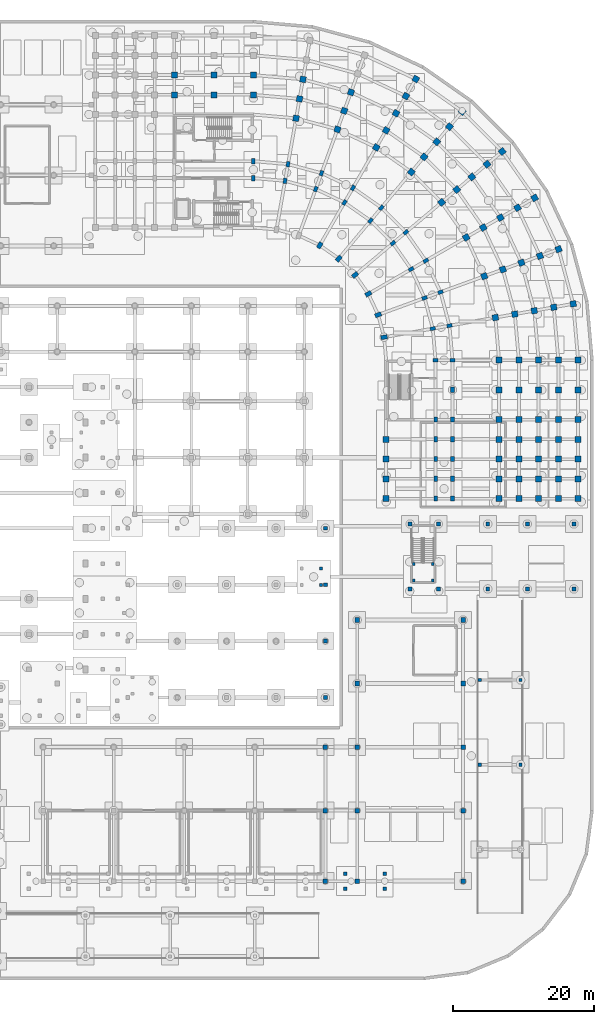
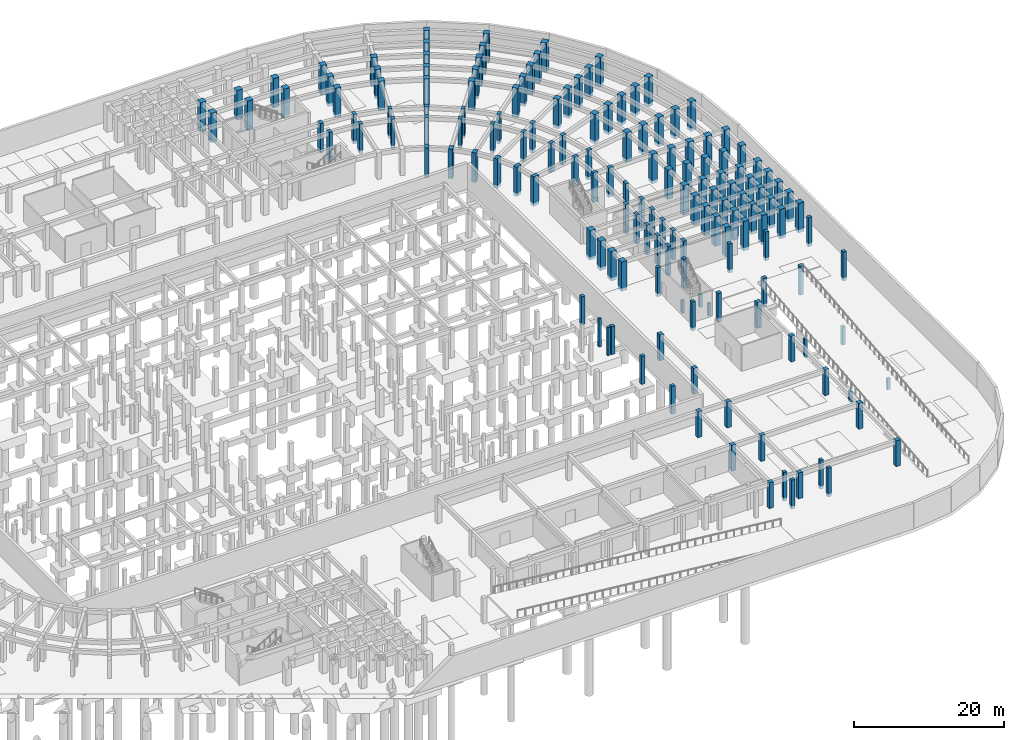
# One storey, part 16 of 53: 159 columns.
"""IFC4 building model written with IfcOpenShell, lengths in metres."""

from ifc_helpers import new_model, si_unit, direction, frame, origin, origin_2d, place, context, subcontext, project, spatial, rectangle, extrude, material, material_profile, profile_set, type_object, element, save


model = new_model("IFC4")

# Units and contexts
model_context = context("Model", 3, precision=1e-05, world=origin(), true_north=direction((0.0, 1.0)))
body_context = subcontext(model_context, "Body", "Model", "MODEL_VIEW")
ifc_project = project(units=[si_unit("LENGTHUNIT", "METRE"), si_unit("AREAUNIT", "SQUARE_METRE"), si_unit("VOLUMEUNIT", "CUBIC_METRE"), si_unit("PLANEANGLEUNIT", "RADIAN"), si_unit("MASSUNIT", "GRAM", prefix="KILO")], contexts=[model_context])

# Site, building, storey
site_placement = place(None, origin())
site = spatial("IfcSite", under=ifc_project, at=site_placement, CompositionType="ELEMENT")
building_placement = place(site_placement, origin())
building = spatial("IfcBuilding", under=site, at=building_placement, Name="Kiranvali Square Residences", CompositionType="ELEMENT")
storey_placement = place(building_placement, frame((0.0, 0.0, -4.5)))
storey = spatial("IfcBuildingStorey", under=building, at=storey_placement, Name="B1", CompositionType="ELEMENT", Elevation=-4.5)

# Columns
ifc_material_1 = material(Name="Concrete M40 (40 MPa)", Category="concrete")
ifc_material_profile_1 = material_profile(ifc_material_1, rectangle(XDim=0.39990234375, YDim=0.39990234375, at=origin_2d()), Name="RC 400x400")
ifc_profile_set_1 = profile_set([ifc_material_profile_1], Name="Concrete M40 (40 MPa)")
column_type_1 = type_object("IfcColumnType", Name="COL-M40-400", PredefinedType="COLUMN", material=ifc_profile_set_1)
for number, where, z_axis, x_axis, name in (
    (1, (129.35009765625, 55.949951171875, -0.5), (0.0, 0.0, 1.0), (1.0, 0.0, 0.0), "ST-RT2 B1 substructure support column 2"),
    (2, (129.35009765625, 58.280029296875, -0.5), (0.0, 0.0, 1.0), (1.0, 0.0, 0.0), "ST-RT2 B1 substructure support column 4"),
):
    element("IfcColumn", number, at=place(storey_placement, frame(where, z_axis=z_axis, x_axis=x_axis)), inside=storey, type_object=column_type_1, Name=name, PredefinedType="COLUMN", context=body_context, shape_type="SweptSolid", body=[
        extrude(rectangle(XDim=0.39990234375, YDim=0.39990234375, at=origin_2d()), origin(), (0.0, 0.0, 1.0), 4.550048828125),
    ])
for number, where, z_axis, x_axis, name in (
    (3, (142.5, 56.60009765625, 0.0), (0.0, 0.0, 1.0), (1.0, 0.0, 0.0), "ST-P2 mid-landing support column 1"),
    (4, (145.199951171875, 56.60009765625, 0.0), (0.0, 0.0, 1.0), (1.0, 0.0, 0.0), "ST-P2 mid-landing support column 2"),
    (5, (142.5, 58.929931640625, 0.0), (0.0, 0.0, 1.0), (1.0, 0.0, 0.0), "ST-P2 mid-landing support column 3"),
    (6, (145.199951171875, 58.929931640625, 0.0), (0.0, 0.0, 1.0), (1.0, 0.0, 0.0), "ST-P2 mid-landing support column 4"),
):
    element("IfcColumn", number, at=place(storey_placement, frame(where, z_axis=z_axis, x_axis=x_axis)), inside=storey, type_object=column_type_1, Name=name, PredefinedType="COLUMN", context=body_context, shape_type="SweptSolid", body=[
        extrude(rectangle(XDim=0.39990234375, YDim=0.39990234375, at=origin_2d()), origin(), (0.0, 0.0, 1.0), 2.050048828125),
    ])
ifc_material_profile_2 = material_profile(ifc_material_1, rectangle(XDim=0.449951171875, YDim=0.449951171875, at=origin_2d()), Name="RC 450x450")
ifc_profile_set_2 = profile_set([ifc_material_profile_2], Name="Concrete M40 (40 MPa)")
column_type_2 = type_object("IfcColumnType", Name="COL-M40-450", PredefinedType="COLUMN", material=ifc_profile_set_2)
for number, where, z_axis, x_axis, name in (
    (7, (151.85009765625, 42.5, -0.5), (0.0, 0.0, 1.0), (1.0, 0.0, 0.0), "Vehicular ramp VR-2 support column 1W"),
    (8, (157.64990234375, 42.5, -0.5), (0.0, 0.0, 1.0), (1.0, 0.0, 0.0), "Vehicular ramp VR-2 support column 1E"),
):
    element("IfcColumn", number, at=place(storey_placement, frame(where, z_axis=z_axis, x_axis=x_axis)), inside=storey, type_object=column_type_2, Name=name, PredefinedType="COLUMN", context=body_context, shape_type="SweptSolid", body=[
        extrude(rectangle(XDim=0.449951171875, YDim=0.449951171875, at=origin_2d()), origin(), (0.0, 0.0, 1.0), 2.969970703125),
    ])
for number, where, z_axis, x_axis, name in (
    (9, (151.85009765625, 30.5, -0.5), (0.0, 0.0, 1.0), (1.0, 0.0, 0.0), "Vehicular ramp VR-2 support column 2W"),
    (10, (157.64990234375, 30.5, -0.5), (0.0, 0.0, 1.0), (1.0, 0.0, 0.0), "Vehicular ramp VR-2 support column 2E"),
):
    element("IfcColumn", number, at=place(storey_placement, frame(where, z_axis=z_axis, x_axis=x_axis)), inside=storey, type_object=column_type_2, Name=name, PredefinedType="COLUMN", context=body_context, shape_type="SweptSolid", body=[
        extrude(rectangle(XDim=0.449951171875, YDim=0.449951171875, at=origin_2d()), origin(), (0.0, 0.0, 1.0), 1.77001953125),
    ])
ifc_material_profile_3 = material_profile(ifc_material_1, rectangle(XDim=0.5, YDim=0.5, at=origin_2d()), Name="RC 500x500")
ifc_profile_set_3 = profile_set([ifc_material_profile_3], Name="Concrete M40 (40 MPa)")
column_type_3 = type_object("IfcColumnType", Name="COL-M40-500", PredefinedType="COLUMN", material=ifc_profile_set_3)
for number, where, z_axis, x_axis, name in (
    (11, (132.800048828125, 12.949951171875, -0.5), (0.0, 0.0, 1.0), (1.0, 0.0, 0.0), "Square colonnade B1 outer support column 9A"),
    (12, (132.800048828125, 15.050048828125, -0.5), (0.0, 0.0, 1.0), (1.0, 0.0, 0.0), "Square colonnade B1 inner support column 9B"),
    (13, (138.39990234375, 12.949951171875, -0.5), (0.0, 0.0, 1.0), (1.0, 0.0, 0.0), "Square colonnade B1 outer support column 10A"),
    (14, (138.39990234375, 15.050048828125, -0.5), (0.0, 0.0, 1.0), (1.0, 0.0, 0.0), "Square colonnade B1 inner support column 10B"),
):
    element("IfcColumn", number, at=place(storey_placement, frame(where, z_axis=z_axis, x_axis=x_axis)), inside=storey, type_object=column_type_3, Name=name, PredefinedType="COLUMN", context=body_context, shape_type="SweptSolid", body=[
        extrude(rectangle(XDim=0.5, YDim=0.5, at=origin_2d()), origin(), (0.0, 0.0, 1.0), 4.699951171875),
    ])
ifc_material_profile_4 = material_profile(ifc_material_1, rectangle(XDim=0.550048828125, YDim=0.550048828125, at=origin_2d()), Name="RC 550x550")
ifc_profile_set_4 = profile_set([ifc_material_profile_4], Name="Concrete M40 (40 MPa)")
column_type_4 = type_object("IfcColumnType", Name="COL-M40-550", PredefinedType="COLUMN", material=ifc_profile_set_4)
for number, where, z_axis, x_axis, name in (
    (15, (130.0, 40.0, -0.5), (0.0, 0.0, 1.0), (1.0, 0.0, 0.0), "Southeast Square Retail Pavilion B1 substructure column 4-0"),
    (16, (130.0, 48.0, -0.5), (0.0, 0.0, 1.0), (1.0, 0.0, 0.0), "Southeast Square Retail Pavilion B1 substructure column 4-1"),
    (17, (130.0, 56.0, -0.5), (0.0, 0.0, 1.0), (1.0, 0.0, 0.0), "Southeast Square Retail Pavilion B1 substructure column 4-2"),
    (18, (130.0, 64.0, -0.5), (0.0, 0.0, 1.0), (1.0, 0.0, 0.0), "Southeast Square Retail Pavilion B1 substructure column 4-3"),
):
    element("IfcColumn", number, at=place(storey_placement, frame(where, z_axis=z_axis, x_axis=x_axis)), inside=storey, type_object=column_type_4, Name=name, PredefinedType="COLUMN", context=body_context, shape_type="SweptSolid", body=[
        extrude(rectangle(XDim=0.550048828125, YDim=0.550048828125, at=origin_2d()), origin(), (0.0, 0.0, 1.0), 4.550048828125),
    ])
for number, where, z_axis, x_axis, name in (
    (19, (142.0, 55.39990234375, -0.5), (0.0, 0.0, 1.0), (1.0, 0.0, 0.0), "East Street Ramp and Arcade Portal substructure column 1.1"),
    (20, (142.0, 64.60009765625, -0.5), (0.0, 0.0, 1.0), (1.0, 0.0, 0.0), "East Street Ramp and Arcade Portal substructure column 1.2"),
    (21, (146.0, 55.39990234375, -0.5), (0.0, 0.0, 1.0), (1.0, 0.0, 0.0), "East Street Ramp and Arcade Portal substructure column 2.1"),
    (22, (146.0, 64.60009765625, -0.5), (0.0, 0.0, 1.0), (1.0, 0.0, 0.0), "East Street Ramp and Arcade Portal substructure column 2.2"),
    (23, (153.0, 55.39990234375, -0.5), (0.0, 0.0, 1.0), (1.0, 0.0, 0.0), "East Street Ramp and Arcade Portal substructure column 3.1"),
    (24, (153.0, 64.60009765625, -0.5), (0.0, 0.0, 1.0), (1.0, 0.0, 0.0), "East Street Ramp and Arcade Portal substructure column 3.2"),
    (25, (158.60009765625, 55.39990234375, -0.5), (0.0, 0.0, 1.0), (1.0, 0.0, 0.0), "East Street Ramp and Arcade Portal substructure column 4.1"),
    (26, (158.60009765625, 64.60009765625, -0.5), (0.0, 0.0, 1.0), (1.0, 0.0, 0.0), "East Street Ramp and Arcade Portal substructure column 4.2"),
    (27, (165.199951171875, 55.39990234375, -0.5), (0.0, 0.0, 1.0), (1.0, 0.0, 0.0), "East Street Ramp and Arcade Portal substructure column 5.1"),
    (28, (165.199951171875, 64.60009765625, -0.5), (0.0, 0.0, 1.0), (1.0, 0.0, 0.0), "East Street Ramp and Arcade Portal substructure column 5.2"),
):
    element("IfcColumn", number, at=place(storey_placement, frame(where, z_axis=z_axis, x_axis=x_axis)), inside=storey, type_object=column_type_4, Name=name, PredefinedType="COLUMN", context=body_context, shape_type="SweptSolid", body=[
        extrude(rectangle(XDim=0.550048828125, YDim=0.550048828125, at=origin_2d()), origin(), (0.0, 0.0, 1.0), 4.699951171875),
    ])
ifc_material_2 = material(Name="Concrete M45 (45 MPa)", Category="concrete")
ifc_material_profile_5 = material_profile(ifc_material_2, rectangle(XDim=0.64990234375, YDim=0.64990234375, at=origin_2d()), Name="RC 650x650")
ifc_profile_set_5 = profile_set([ifc_material_profile_5], Name="Concrete M45 (45 MPa)")
column_type_5 = type_object("IfcColumnType", Name="COL-M45-650", PredefinedType="COLUMN", material=ifc_profile_set_5)
for number, where, z_axis, x_axis, name in (
    (29, (130.0, 14.0, 0.0), (0.0, 0.0, 1.0), (1.0, 0.0, 0.0), "Basement square substructure column APR-23"),
    (30, (134.5, 14.0, 0.0), (0.0, 0.0, 1.0), (1.0, 0.0, 0.0), "Basement square substructure column APR-24"),
    (31, (149.5, 14.0, 0.0), (0.0, 0.0, 1.0), (1.0, 0.0, 0.0), "Basement square substructure column APR-25"),
    (32, (130.0, 24.0, 0.0), (0.0, 0.0, 1.0), (1.0, 0.0, 0.0), "Basement square substructure column APR-30"),
    (33, (134.5, 24.0, 0.0), (0.0, 0.0, 1.0), (1.0, 0.0, 0.0), "Basement square substructure column APR-31"),
    (34, (149.5, 24.0, 0.0), (0.0, 0.0, 1.0), (1.0, 0.0, 0.0), "Basement square substructure column APR-32"),
    (35, (130.0, 33.0, 0.0), (0.0, 0.0, 1.0), (1.0, 0.0, 0.0), "Basement square substructure column APR-37"),
    (36, (134.5, 33.0, 0.0), (0.0, 0.0, 1.0), (1.0, 0.0, 0.0), "Basement square substructure column APR-38"),
    (37, (149.5, 33.0, 0.0), (0.0, 0.0, 1.0), (1.0, 0.0, 0.0), "Basement square substructure column APR-39"),
    (38, (134.5, 42.0, 0.0), (0.0, 0.0, 1.0), (1.0, 0.0, 0.0), "Basement square substructure column APR-40"),
    (39, (149.5, 42.0, 0.0), (0.0, 0.0, 1.0), (1.0, 0.0, 0.0), "Basement square substructure column APR-41"),
    (40, (134.5, 51.0, 0.0), (0.0, 0.0, 1.0), (1.0, 0.0, 0.0), "Basement square substructure column APR-42"),
    (41, (149.5, 51.0, 0.0), (0.0, 0.0, 1.0), (1.0, 0.0, 0.0), "Basement square substructure column APR-43"),
):
    element("IfcColumn", number, at=place(storey_placement, frame(where, z_axis=z_axis, x_axis=x_axis)), inside=storey, type_object=column_type_5, Name=name, PredefinedType="COLUMN", context=body_context, shape_type="SweptSolid", body=[
        extrude(rectangle(XDim=0.64990234375, YDim=0.64990234375, at=origin_2d()), origin(), (0.0, 0.0, 1.0), 4.199951171875),
    ])
ifc_material_profile_6 = material_profile(ifc_material_2, rectangle(XDim=0.5, YDim=0.75, at=origin_2d()), Name="RC 750x500")
ifc_profile_set_6 = profile_set([ifc_material_profile_6], Name="Concrete M45 (45 MPa)")
column_type_6 = type_object("IfcColumnType", Name="COL-M45-750x500", PredefinedType="COLUMN", material=ifc_profile_set_6)
for number, where, z_axis, x_axis, name in (
    (42, (119.800048828125, 113.60009765625, -0.5), (0.0, 0.0, 1.0), (1.0, 0.0, 0.0), "Block B B1 radial column A00-R1"),
    (43, (119.800048828125, 116.0, -0.5), (0.0, 0.0, 1.0), (1.0, 0.0, 0.0), "Block B B1 radial column A00-R2"),
    (44, (124.280029296875, 113.2080078125, -0.5), (0.0, 0.0, 1.0), (-0.984807753012, 0.173648177667, 0.0), "Block B B1 radial column A01-R1"),
    (45, (124.69677734375, 115.571533203125, -0.5), (0.0, 0.0, 1.0), (-0.984807753012, 0.173648177667, 0.0), "Block B B1 radial column A01-R2"),
    (46, (128.6240234375, 112.044189453125, -0.5), (0.0, 0.0, 1.0), (-0.939692620786, 0.342020143326, 0.0), "Block B B1 radial column A02-R1"),
    (47, (129.445068359375, 114.29931640625, -0.5), (0.0, 0.0, 1.0), (-0.939692620786, 0.342020143326, 0.0), "Block B B1 radial column A02-R2"),
    (48, (132.699951171875, 110.1435546875, -0.5), (0.0, 0.0, 1.0), (-0.866025403784, 0.5, 0.0), "Block B B1 radial column A03-R1"),
    (49, (133.89990234375, 112.221923828125, -0.5), (0.0, 0.0, 1.0), (-0.866025403784, 0.5, 0.0), "Block B B1 radial column A03-R2"),
    (50, (136.384033203125, 107.56396484375, -0.5), (0.0, 0.0, 1.0), (-0.766044443119, 0.642787609687, 0.0), "Block B B1 radial column A04-R1"),
    (51, (137.926513671875, 109.40234375, -0.5), (0.0, 0.0, 1.0), (-0.766044443119, 0.642787609687, 0.0), "Block B B1 radial column A04-R2"),
    (52, (139.56396484375, 104.384033203125, -0.5), (0.0, 0.0, 1.0), (-0.642787609687, 0.766044443119, 0.0), "Block B B1 radial column A05-R1"),
    (53, (141.40234375, 105.926513671875, -0.5), (0.0, 0.0, 1.0), (-0.642787609687, 0.766044443119, 0.0), "Block B B1 radial column A05-R2"),
    (54, (142.1435546875, 100.699951171875, -0.5), (0.0, 0.0, 1.0), (-0.5, 0.866025403784, 0.0), "Block B B1 radial column A06-R1"),
    (55, (144.221923828125, 101.89990234375, -0.5), (0.0, 0.0, 1.0), (-0.5, 0.866025403784, 0.0), "Block B B1 radial column A06-R2"),
    (56, (144.044189453125, 96.6240234375, -0.5), (0.0, 0.0, 1.0), (-0.342020143326, 0.939692620786, 0.0), "Block B B1 radial column A07-R1"),
    (57, (146.29931640625, 97.445068359375, -0.5), (0.0, 0.0, 1.0), (-0.342020143326, 0.939692620786, 0.0), "Block B B1 radial column A07-R2"),
    (58, (145.2080078125, 92.280029296875, -0.5), (0.0, 0.0, 1.0), (-0.173648177667, 0.984807753012, 0.0), "Block B B1 radial column A08-R1"),
    (59, (147.571533203125, 92.69677734375, -0.5), (0.0, 0.0, 1.0), (-0.173648177667, 0.984807753012, 0.0), "Block B B1 radial column A08-R2"),
    (60, (145.60009765625, 87.800048828125, -0.5), (0.0, 0.0, 1.0), (0.0, 1.0, 0.0), "Block B B1 radial column A09-R1"),
    (61, (148.0, 87.800048828125, -0.5), (0.0, 0.0, 1.0), (0.0, 1.0, 0.0), "Block B B1 radial column A09-R2"),
    (62, (148.0, 83.60009765625, -0.5), (0.0, 0.0, 1.0), (1.0, 0.0, 0.0), "Block B B1 Arm 2 mid-core column V0-R2"),
    (63, (145.60009765625, 79.39990234375, -0.5), (0.0, 0.0, 1.0), (1.0, 0.0, 0.0), "Block B B1 Arm 2 column V1-R1"),
    (64, (148.0, 79.39990234375, -0.5), (0.0, 0.0, 1.0), (1.0, 0.0, 0.0), "Block B B1 Arm 2 column V1-R2"),
    (65, (145.60009765625, 76.60009765625, -0.5), (0.0, 0.0, 1.0), (1.0, 0.0, 0.0), "Block B B1 Arm 2 column V2-R1"),
    (66, (148.0, 76.60009765625, -0.5), (0.0, 0.0, 1.0), (1.0, 0.0, 0.0), "Block B B1 Arm 2 column V2-R2"),
    (67, (145.60009765625, 73.800048828125, -0.5), (0.0, 0.0, 1.0), (1.0, 0.0, 0.0), "Block B B1 Arm 2 column V3-R1"),
    (68, (148.0, 73.800048828125, -0.5), (0.0, 0.0, 1.0), (1.0, 0.0, 0.0), "Block B B1 Arm 2 column V3-R2"),
    (69, (145.60009765625, 71.0, -0.5), (0.0, 0.0, 1.0), (1.0, 0.0, 0.0), "Block B B1 Arm 2 column V4-R1"),
    (70, (148.0, 71.0, -0.5), (0.0, 0.0, 1.0), (1.0, 0.0, 0.0), "Block B B1 Arm 2 column V4-R2"),
    (71, (145.60009765625, 68.199951171875, -0.5), (0.0, 0.0, 1.0), (1.0, 0.0, 0.0), "Block B B1 Arm 2 column V5-R1"),
    (72, (148.0, 68.199951171875, -0.5), (0.0, 0.0, 1.0), (1.0, 0.0, 0.0), "Block B B1 Arm 2 column V5-R2"),
):
    element("IfcColumn", number, at=place(storey_placement, frame(where, z_axis=z_axis, x_axis=x_axis)), inside=storey, type_object=column_type_6, Name=name, PredefinedType="COLUMN", context=body_context, shape_type="SweptSolid", body=[
        extrude(rectangle(XDim=0.5, YDim=0.75, at=origin_2d()), origin(), (0.0, 0.0, 1.0), 4.780029296875),
    ])
ifc_material_3 = material(Name="Concrete M50 (50 MPa)", Category="concrete")
ifc_material_profile_7 = material_profile(ifc_material_3, rectangle(XDim=0.85009765625, YDim=0.85009765625, at=origin_2d()), Name="RC 850x850")
ifc_profile_set_7 = profile_set([ifc_material_profile_7], Name="Concrete M50 (50 MPa)")
column_type_7 = type_object("IfcColumnType", Name="COL-M50-850", PredefinedType="COLUMN", material=ifc_profile_set_7)
for number, where, z_axis, x_axis, name in (
    (73, (119.800048828125, 125.39990234375, -0.5), (0.0, 0.0, 1.0), (1.0, 0.0, 0.0), "Block B B1 radial column A00-R4"),
    (74, (119.800048828125, 128.199951171875, -0.5), (0.0, 0.0, 1.0), (1.0, 0.0, 0.0), "Block B B1 radial column A00-R5"),
    (75, (125.843017578125, 122.0712890625, -0.5), (0.0, 0.0, 1.0), (-0.984807753012, 0.173648177667, 0.0), "Block B B1 radial column A01-R3"),
    (76, (126.3291015625, 124.828857421875, -0.5), (0.0, 0.0, 1.0), (-0.984807753012, 0.173648177667, 0.0), "Block B B1 radial column A01-R4"),
    (77, (126.8154296875, 127.586181640625, -0.5), (0.0, 0.0, 1.0), (-0.984807753012, 0.173648177667, 0.0), "Block B B1 radial column A01-R5"),
    (78, (131.702392578125, 120.501220703125, -0.5), (0.0, 0.0, 1.0), (-0.939692620786, 0.342020143326, 0.0), "Block B B1 radial column A02-R3"),
    (79, (132.659912109375, 123.13232421875, -0.5), (0.0, 0.0, 1.0), (-0.939692620786, 0.342020143326, 0.0), "Block B B1 radial column A02-R4"),
    (80, (133.61767578125, 125.763671875, -0.5), (0.0, 0.0, 1.0), (-0.939692620786, 0.342020143326, 0.0), "Block B B1 radial column A02-R5"),
    (81, (137.199951171875, 117.937744140625, -0.5), (0.0, 0.0, 1.0), (-0.866025403784, 0.5, 0.0), "Block B B1 radial column A03-R3"),
    (82, (138.60009765625, 120.362548828125, -0.5), (0.0, 0.0, 1.0), (-0.866025403784, 0.5, 0.0), "Block B B1 radial column A03-R4"),
    (83, (140.0, 122.787353515625, -0.5), (0.0, 0.0, 1.0), (-0.866025403784, 0.5, 0.0), "Block B B1 radial column A03-R5"),
    (84, (141.39990234375, 125.21240234375, -0.5), (0.0, 0.0, 1.0), (-0.866025403784, 0.5, 0.0), "Block B B1 radial column A03-R6"),
    (85, (142.800048828125, 127.63720703125, -0.5), (0.0, 0.0, 1.0), (-0.866025403784, 0.5, 0.0), "Block B B1 radial column A03-R7"),
    (86, (142.1689453125, 114.458251953125, -0.5), (0.0, 0.0, 1.0), (-0.766044443119, 0.642787609687, 0.0), "Block B B1 radial column A04-R3"),
    (87, (143.96875, 116.603271484375, -0.5), (0.0, 0.0, 1.0), (-0.766044443119, 0.642787609687, 0.0), "Block B B1 radial column A04-R4"),
    (88, (145.7685546875, 118.748291015625, -0.5), (0.0, 0.0, 1.0), (-0.766044443119, 0.642787609687, 0.0), "Block B B1 radial column A04-R5"),
    (89, (147.568359375, 120.89306640625, -0.5), (0.0, 0.0, 1.0), (-0.766044443119, 0.642787609687, 0.0), "Block B B1 radial column A04-R6"),
    (90, (149.3681640625, 123.0380859375, -0.5), (0.0, 0.0, 1.0), (-0.766044443119, 0.642787609687, 0.0), "Block B B1 radial column A04-R7"),
    (91, (146.458251953125, 110.1689453125, -0.5), (0.0, 0.0, 1.0), (-0.642787609687, 0.766044443119, 0.0), "Block B B1 radial column A05-R3"),
    (92, (148.603271484375, 111.96875, -0.5), (0.0, 0.0, 1.0), (-0.642787609687, 0.766044443119, 0.0), "Block B B1 radial column A05-R4"),
    (93, (150.748291015625, 113.7685546875, -0.5), (0.0, 0.0, 1.0), (-0.642787609687, 0.766044443119, 0.0), "Block B B1 radial column A05-R5"),
    (94, (152.89306640625, 115.568359375, -0.5), (0.0, 0.0, 1.0), (-0.642787609687, 0.766044443119, 0.0), "Block B B1 radial column A05-R6"),
    (95, (155.0380859375, 117.3681640625, -0.5), (0.0, 0.0, 1.0), (-0.642787609687, 0.766044443119, 0.0), "Block B B1 radial column A05-R7"),
    (96, (149.937744140625, 105.199951171875, -0.5), (0.0, 0.0, 1.0), (-0.5, 0.866025403784, 0.0), "Block B B1 radial column A06-R3"),
    (97, (152.362548828125, 106.60009765625, -0.5), (0.0, 0.0, 1.0), (-0.5, 0.866025403784, 0.0), "Block B B1 radial column A06-R4"),
    (98, (154.787353515625, 108.0, -0.5), (0.0, 0.0, 1.0), (-0.5, 0.866025403784, 0.0), "Block B B1 radial column A06-R5"),
    (99, (157.21240234375, 109.39990234375, -0.5), (0.0, 0.0, 1.0), (-0.5, 0.866025403784, 0.0), "Block B B1 radial column A06-R6"),
    (100, (159.63720703125, 110.800048828125, -0.5), (0.0, 0.0, 1.0), (-0.5, 0.866025403784, 0.0), "Block B B1 radial column A06-R7"),
    (101, (152.501220703125, 99.702392578125, -0.5), (0.0, 0.0, 1.0), (-0.342020143326, 0.939692620786, 0.0), "Block B B1 radial column A07-R3"),
    (102, (155.13232421875, 100.659912109375, -0.5), (0.0, 0.0, 1.0), (-0.342020143326, 0.939692620786, 0.0), "Block B B1 radial column A07-R4"),
    (103, (157.763671875, 101.61767578125, -0.5), (0.0, 0.0, 1.0), (-0.342020143326, 0.939692620786, 0.0), "Block B B1 radial column A07-R5"),
    (104, (160.394775390625, 102.5751953125, -0.5), (0.0, 0.0, 1.0), (-0.342020143326, 0.939692620786, 0.0), "Block B B1 radial column A07-R6"),
    (105, (163.02587890625, 103.532958984375, -0.5), (0.0, 0.0, 1.0), (-0.342020143326, 0.939692620786, 0.0), "Block B B1 radial column A07-R7"),
    (106, (154.0712890625, 93.843017578125, -0.5), (0.0, 0.0, 1.0), (-0.173648177667, 0.984807753012, 0.0), "Block B B1 radial column A08-R3"),
    (107, (156.828857421875, 94.3291015625, -0.5), (0.0, 0.0, 1.0), (-0.173648177667, 0.984807753012, 0.0), "Block B B1 radial column A08-R4"),
    (108, (159.586181640625, 94.8154296875, -0.5), (0.0, 0.0, 1.0), (-0.173648177667, 0.984807753012, 0.0), "Block B B1 radial column A08-R5"),
    (109, (162.34375, 95.301513671875, -0.5), (0.0, 0.0, 1.0), (-0.173648177667, 0.984807753012, 0.0), "Block B B1 radial column A08-R6"),
    (110, (165.10107421875, 95.787841796875, -0.5), (0.0, 0.0, 1.0), (-0.173648177667, 0.984807753012, 0.0), "Block B B1 radial column A08-R7"),
    (111, (154.60009765625, 87.800048828125, -0.5), (0.0, 0.0, 1.0), (0.0, 1.0, 0.0), "Block B B1 radial column A09-R3"),
    (112, (157.39990234375, 87.800048828125, -0.5), (0.0, 0.0, 1.0), (0.0, 1.0, 0.0), "Block B B1 radial column A09-R4"),
    (113, (160.199951171875, 87.800048828125, -0.5), (0.0, 0.0, 1.0), (0.0, 1.0, 0.0), "Block B B1 radial column A09-R5"),
    (114, (163.0, 87.800048828125, -0.5), (0.0, 0.0, 1.0), (0.0, 1.0, 0.0), "Block B B1 radial column A09-R6"),
    (115, (165.800048828125, 87.800048828125, -0.5), (0.0, 0.0, 1.0), (0.0, 1.0, 0.0), "Block B B1 radial column A09-R7"),
    (116, (114.199951171875, 125.39990234375, -0.5), (0.0, 0.0, 1.0), (1.0, 0.0, 0.0), "Block B B1 core-front column U0-R4"),
    (117, (114.199951171875, 128.199951171875, -0.5), (0.0, 0.0, 1.0), (1.0, 0.0, 0.0), "Block B B1 core-front column U0-R5"),
    (118, (108.60009765625, 125.39990234375, -0.5), (0.0, 0.0, 1.0), (1.0, 0.0, 0.0), "Block B B1 Arm 1 column U1-R4"),
    (119, (108.60009765625, 128.199951171875, -0.5), (0.0, 0.0, 1.0), (1.0, 0.0, 0.0), "Block B B1 Arm 1 column U1-R5"),
    (120, (154.60009765625, 83.60009765625, -0.5), (0.0, 0.0, 1.0), (1.0, 0.0, 0.0), "Block B B1 Arm 2 mid-core column V0-R3"),
    (121, (157.39990234375, 83.60009765625, -0.5), (0.0, 0.0, 1.0), (1.0, 0.0, 0.0), "Block B B1 Arm 2 mid-core column V0-R4"),
    (122, (160.199951171875, 83.60009765625, -0.5), (0.0, 0.0, 1.0), (1.0, 0.0, 0.0), "Block B B1 Arm 2 mid-core column V0-R5"),
    (123, (163.0, 83.60009765625, -0.5), (0.0, 0.0, 1.0), (1.0, 0.0, 0.0), "Block B B1 Arm 2 mid-core column V0-R6"),
    (124, (165.800048828125, 83.60009765625, -0.5), (0.0, 0.0, 1.0), (1.0, 0.0, 0.0), "Block B B1 Arm 2 mid-core column V0-R7"),
    (125, (154.60009765625, 79.39990234375, -0.5), (0.0, 0.0, 1.0), (1.0, 0.0, 0.0), "Block B B1 Arm 2 column V1-R3"),
    (126, (157.39990234375, 79.39990234375, -0.5), (0.0, 0.0, 1.0), (1.0, 0.0, 0.0), "Block B B1 Arm 2 column V1-R4"),
    (127, (160.199951171875, 79.39990234375, -0.5), (0.0, 0.0, 1.0), (1.0, 0.0, 0.0), "Block B B1 Arm 2 column V1-R5"),
    (128, (163.0, 79.39990234375, -0.5), (0.0, 0.0, 1.0), (1.0, 0.0, 0.0), "Block B B1 Arm 2 column V1-R6"),
    (129, (165.800048828125, 79.39990234375, -0.5), (0.0, 0.0, 1.0), (1.0, 0.0, 0.0), "Block B B1 Arm 2 column V1-R7"),
    (130, (138.60009765625, 76.60009765625, -0.5), (0.0, 0.0, 1.0), (1.0, 0.0, 0.0), "Block B B1 Arm 2 column V2-R0"),
    (131, (154.60009765625, 76.60009765625, -0.5), (0.0, 0.0, 1.0), (1.0, 0.0, 0.0), "Block B B1 Arm 2 column V2-R3"),
    (132, (157.39990234375, 76.60009765625, -0.5), (0.0, 0.0, 1.0), (1.0, 0.0, 0.0), "Block B B1 Arm 2 column V2-R4"),
    (133, (160.199951171875, 76.60009765625, -0.5), (0.0, 0.0, 1.0), (1.0, 0.0, 0.0), "Block B B1 Arm 2 column V2-R5"),
    (134, (163.0, 76.60009765625, -0.5), (0.0, 0.0, 1.0), (1.0, 0.0, 0.0), "Block B B1 Arm 2 column V2-R6"),
    (135, (165.800048828125, 76.60009765625, -0.5), (0.0, 0.0, 1.0), (1.0, 0.0, 0.0), "Block B B1 Arm 2 column V2-R7"),
    (136, (138.60009765625, 73.800048828125, -0.5), (0.0, 0.0, 1.0), (1.0, 0.0, 0.0), "Block B B1 Arm 2 column V3-R0"),
    (137, (154.60009765625, 73.800048828125, -0.5), (0.0, 0.0, 1.0), (1.0, 0.0, 0.0), "Block B B1 Arm 2 column V3-R3"),
    (138, (157.39990234375, 73.800048828125, -0.5), (0.0, 0.0, 1.0), (1.0, 0.0, 0.0), "Block B B1 Arm 2 column V3-R4"),
    (139, (160.199951171875, 73.800048828125, -0.5), (0.0, 0.0, 1.0), (1.0, 0.0, 0.0), "Block B B1 Arm 2 column V3-R5"),
    (140, (163.0, 73.800048828125, -0.5), (0.0, 0.0, 1.0), (1.0, 0.0, 0.0), "Block B B1 Arm 2 column V3-R6"),
    (141, (165.800048828125, 73.800048828125, -0.5), (0.0, 0.0, 1.0), (1.0, 0.0, 0.0), "Block B B1 Arm 2 column V3-R7"),
    (142, (138.60009765625, 71.0, -0.5), (0.0, 0.0, 1.0), (1.0, 0.0, 0.0), "Block B B1 Arm 2 column V4-R0"),
    (143, (154.60009765625, 71.0, -0.5), (0.0, 0.0, 1.0), (1.0, 0.0, 0.0), "Block B B1 Arm 2 column V4-R3"),
    (144, (157.39990234375, 71.0, -0.5), (0.0, 0.0, 1.0), (1.0, 0.0, 0.0), "Block B B1 Arm 2 column V4-R4"),
    (145, (160.199951171875, 71.0, -0.5), (0.0, 0.0, 1.0), (1.0, 0.0, 0.0), "Block B B1 Arm 2 column V4-R5"),
    (146, (163.0, 71.0, -0.5), (0.0, 0.0, 1.0), (1.0, 0.0, 0.0), "Block B B1 Arm 2 column V4-R6"),
    (147, (165.800048828125, 71.0, -0.5), (0.0, 0.0, 1.0), (1.0, 0.0, 0.0), "Block B B1 Arm 2 column V4-R7"),
    (148, (138.60009765625, 68.199951171875, -0.5), (0.0, 0.0, 1.0), (1.0, 0.0, 0.0), "Block B B1 Arm 2 column V5-R0"),
    (149, (154.60009765625, 68.199951171875, -0.5), (0.0, 0.0, 1.0), (1.0, 0.0, 0.0), "Block B B1 Arm 2 column V5-R3"),
    (150, (157.39990234375, 68.199951171875, -0.5), (0.0, 0.0, 1.0), (1.0, 0.0, 0.0), "Block B B1 Arm 2 column V5-R4"),
    (151, (160.199951171875, 68.199951171875, -0.5), (0.0, 0.0, 1.0), (1.0, 0.0, 0.0), "Block B B1 Arm 2 column V5-R5"),
    (152, (163.0, 68.199951171875, -0.5), (0.0, 0.0, 1.0), (1.0, 0.0, 0.0), "Block B B1 Arm 2 column V5-R6"),
    (153, (165.800048828125, 68.199951171875, -0.5), (0.0, 0.0, 1.0), (1.0, 0.0, 0.0), "Block B B1 Arm 2 column V5-R7"),
):
    element("IfcColumn", number, at=place(storey_placement, frame(where, z_axis=z_axis, x_axis=x_axis)), inside=storey, type_object=column_type_7, Name=name, PredefinedType="COLUMN", context=body_context, shape_type="SweptSolid", body=[
        extrude(rectangle(XDim=0.85009765625, YDim=0.85009765625, at=origin_2d()), origin(), (0.0, 0.0, 1.0), 4.780029296875),
    ])
ifc_material_profile_8 = material_profile(ifc_material_3, rectangle(XDim=0.60009765625, YDim=0.89990234375, at=origin_2d()), Name="RC 900x600")
ifc_profile_set_8 = profile_set([ifc_material_profile_8], Name="Concrete M50 (50 MPa)")
column_type_8 = type_object("IfcColumnType", Name="COL-M50-900x600", PredefinedType="COLUMN", material=ifc_profile_set_8)
for number, where, z_axis, x_axis, name in (
    (154, (129.199951171875, 104.081298828125, -0.5), (0.0, 0.0, 1.0), (-0.866025403784, 0.5, 0.0), "Block B B1 radial column A03-R0"),
    (155, (131.884521484375, 102.20166015625, -0.5), (0.0, 0.0, 1.0), (-0.766044443119, 0.642787609687, 0.0), "Block B B1 radial column A04-R0"),
    (156, (134.20166015625, 99.884521484375, -0.5), (0.0, 0.0, 1.0), (-0.642787609687, 0.766044443119, 0.0), "Block B B1 radial column A05-R0"),
    (157, (136.081298828125, 97.199951171875, -0.5), (0.0, 0.0, 1.0), (-0.5, 0.866025403784, 0.0), "Block B B1 radial column A06-R0"),
    (158, (137.46630859375, 94.22998046875, -0.5), (0.0, 0.0, 1.0), (-0.342020143326, 0.939692620786, 0.0), "Block B B1 radial column A07-R0"),
    (159, (138.314453125, 91.064697265625, -0.5), (0.0, 0.0, 1.0), (-0.173648177667, 0.984807753012, 0.0), "Block B B1 radial column A08-R0"),
):
    element("IfcColumn", number, at=place(storey_placement, frame(where, z_axis=z_axis, x_axis=x_axis)), inside=storey, type_object=column_type_8, Name=name, PredefinedType="COLUMN", context=body_context, shape_type="SweptSolid", body=[
        extrude(rectangle(XDim=0.60009765625, YDim=0.89990234375, at=origin_2d()), origin(), (0.0, 0.0, 1.0), 4.780029296875),
    ])

save(model, "model.ifc")
